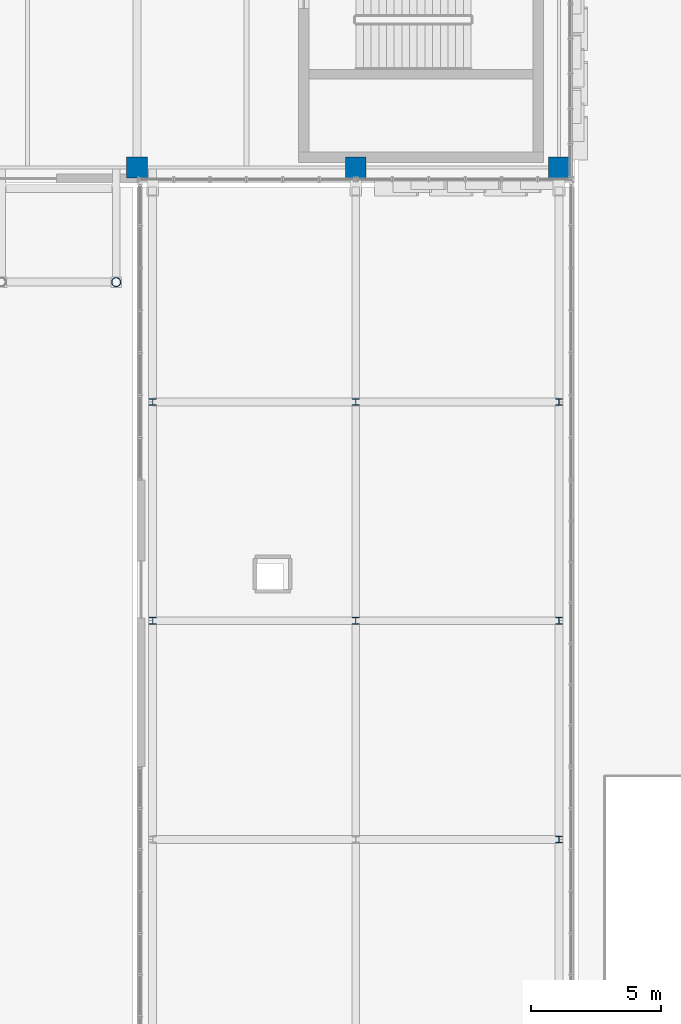
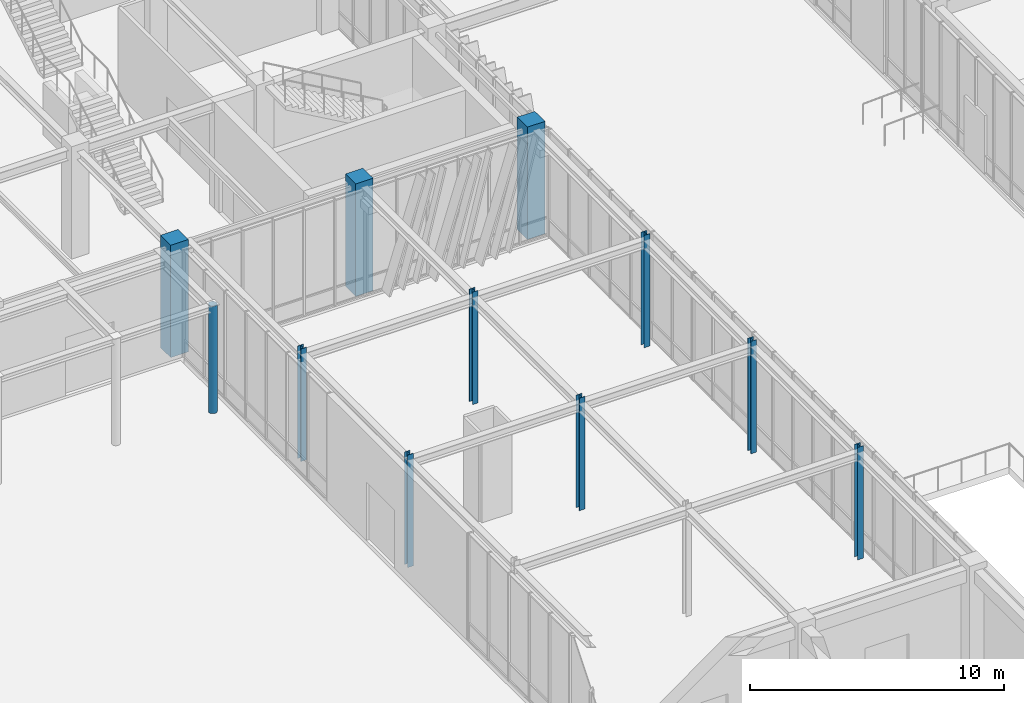
# One storey, part 4 of 122: 11 columns.
"""IFC4 building model written with IfcOpenShell, lengths in metres."""

import ifcopenshell
import ifcopenshell.guid

model = None  # the IFC model being written
_history = None  # IfcOwnerHistory: only IFC2X3 demands one
_inside = {}  # id of a spatial element -> (the spatial element, [elements in it])
_under = {}  # id of a project, library or spatial element -> (it, [spatial elements below it])
_declared = {}  # id of a project -> (the project, [libraries it declares])
_typed = {}  # id of a type object -> (the type object, [elements of that type])
_made_of = {}  # id of a material, layer set ... -> (it, [elements and type objects made of it])


def new_model(schema):
    """Start an empty IFC model of exactly this schema.

    Asked for "IFC4X3", IfcOpenShell would pick the latest addendum, in which some entities
    have other attributes; the version numbers below select the first issue.
    IFC2X3 requires an IfcOwnerHistory on every rooted entity: one is made here for all.
    """
    global model, _history
    if schema == "IFC4X3":
        model = ifcopenshell.file(schema_version=(4, 3, 0, 0))
    else:
        model = ifcopenshell.file(schema=schema)
    _inside.clear()
    _under.clear()
    _declared.clear()
    _typed.clear()
    _made_of.clear()
    _history = None
    if model.schema == "IFC2X3":
        org = make("IfcOrganization", Name="unknown")
        user = make(
            "IfcPersonAndOrganization",
            ThePerson=make("IfcPerson", FamilyName="unknown"),
            TheOrganization=org,
        )
        app = make(
            "IfcApplication",
            ApplicationDeveloper=org,
            Version="unknown",
            ApplicationFullName="unknown",
            ApplicationIdentifier="unknown",
        )
        _history = make(
            "IfcOwnerHistory",
            OwningUser=user,
            OwningApplication=app,
            ChangeAction="ADDED",
            CreationDate=0,
        )
    return model


def make(cls, **values):
    """One entity of the class cls with the attributes given. An attribute that is None is left unset."""
    return model.create_entity(
        cls, **{name: value for name, value in values.items() if value is not None}
    )


def rooted(cls, **values):
    """An entity with a GlobalId (a new one), such as an element, a storey or a relation."""
    return make(cls, GlobalId=ifcopenshell.guid.new(), OwnerHistory=_history, **values)


def si_unit(unit_type, name, prefix=None):
    """IfcSIUnit, for example si_unit("LENGTHUNIT", "METRE", prefix="MILLI")."""
    return make("IfcSIUnit", UnitType=unit_type, Prefix=prefix, Name=name)


def assignment(units):
    """IfcUnitAssignment: the units of a project."""
    return None if units is None else make("IfcUnitAssignment", Units=units)


def point(xyz):
    """IfcCartesianPoint."""
    return None if xyz is None else make("IfcCartesianPoint", Coordinates=xyz)


def direction(xyz):
    """IfcDirection."""
    return None if xyz is None else make("IfcDirection", DirectionRatios=xyz)


def frame(location, z_axis=None, x_axis=None):
    """IfcAxis2Placement3D, a coordinate frame: its origin and axes. An axis left out is left unset."""
    return make(
        "IfcAxis2Placement3D",
        Location=point(location),
        Axis=direction(z_axis),
        RefDirection=direction(x_axis),
    )


def frame_2d(location, x_axis=None):
    """IfcAxis2Placement2D, a coordinate frame in the plane: its origin and x axis."""
    return make(
        "IfcAxis2Placement2D", Location=point(location), RefDirection=direction(x_axis)
    )


def origin():
    """The frame at (0, 0, 0) with its axes left unset."""
    return frame((0.0, 0.0, 0.0))


def origin_2d():
    """The frame at (0, 0) in the plane with its x axis left unset."""
    return frame_2d((0.0, 0.0))


def place(relative_to, where):
    """IfcLocalPlacement: puts the frame where relative to a parent placement (None: the world)."""
    return make(
        "IfcLocalPlacement", PlacementRelTo=relative_to, RelativePlacement=where
    )


def context(
    kind, dimensions, precision=None, world=None, true_north=None, identifier=None
):
    """IfcGeometricRepresentationContext, for example the 3D "Model" context."""
    return make(
        "IfcGeometricRepresentationContext",
        ContextIdentifier=identifier,
        ContextType=kind,
        CoordinateSpaceDimension=dimensions,
        Precision=precision,
        WorldCoordinateSystem=world,
        TrueNorth=true_north,
    )


def subcontext(parent, identifier, kind, view, scale=None):
    """IfcGeometricRepresentationSubContext, for example "Body" below "Model"."""
    return make(
        "IfcGeometricRepresentationSubContext",
        ContextIdentifier=identifier,
        ContextType=kind,
        ParentContext=parent,
        TargetScale=scale,
        TargetView=view,
    )


def project(units=None, contexts=None):
    """IfcProject with its units and contexts."""
    return rooted(
        "IfcProject",
        Name="project",
        RepresentationContexts=contexts,
        UnitsInContext=assignment(units),
    )


def spatial(cls, under=None, at=None, **own):
    """A site, building, storey or space (cls), placed at a placement, below another one or the project."""
    s = rooted(cls, ObjectPlacement=at, **own)
    if under is not None:
        _under.setdefault(under.id(), (under, []))[1].append(s)
    return s


def profile(cls, at=None, kind="AREA", **sizes):
    """A parametric profile (cls). Its sizes go by their IFC names, for example OverallWidth=200.0."""
    return make(cls, ProfileType=kind, Position=at, **sizes)


def rectangle(**sizes):
    """IfcRectangleProfileDef."""
    return profile("IfcRectangleProfileDef", **sizes)


def hollow_circle(**sizes):
    """IfcCircleHollowProfileDef."""
    return profile("IfcCircleHollowProfileDef", **sizes)


def i_section(**sizes):
    """IfcIShapeProfileDef."""
    return profile("IfcIShapeProfileDef", **sizes)


def extrude(swept, where, along, depth):
    """IfcExtrudedAreaSolid: the profile swept, set in the frame where, extruded along a direction by depth."""
    return make(
        "IfcExtrudedAreaSolid",
        SweptArea=swept,
        Position=where,
        ExtrudedDirection=direction(along),
        Depth=depth,
    )


def shape(context_of_items, identifier, shape_type, items):
    """IfcShapeRepresentation: the items that make up one representation, for example the "Body"."""
    return make(
        "IfcShapeRepresentation",
        ContextOfItems=context_of_items,
        RepresentationIdentifier=identifier,
        RepresentationType=shape_type,
        Items=items,
    )


def material(Name=None, Category=None):
    """IfcMaterial."""
    return make("IfcMaterial", Name=Name, Category=Category)


def material_profile(
    of_material, cross_section, Name=None, Category=None, Priority=None
):
    """IfcMaterialProfile: a cross section and its material."""
    return make(
        "IfcMaterialProfile",
        Name=Name,
        Material=of_material,
        Profile=cross_section,
        Priority=Priority,
        Category=Category,
    )


def profile_set(profiles, Name=None, composite=None):
    """IfcMaterialProfileSet."""
    return make(
        "IfcMaterialProfileSet",
        Name=Name,
        MaterialProfiles=profiles,
        CompositeProfile=composite,
    )


def made_of(thing, what):
    """Note that an element or type object is made of a material, layer set ...; save() writes the relation."""
    if what is not None:
        _made_of.setdefault(what.id(), (what, []))[1].append(thing)
    return thing


def type_object(cls, material=None, **own):
    """A type object (cls), such as IfcWallType, which elements share."""
    return made_of(rooted(cls, **own), material)


def element(
    cls,
    number,
    at=None,
    inside=None,
    cuts=None,
    type_object=None,
    material=None,
    context=None,
    identifier="Body",
    shape_type=None,
    held_by="IfcProductDefinitionShape",
    body=None,
    shapes=None,
    **own,
):
    """One element of the class cls, such as IfcWall. Its Tag is "e" and its number.

    at: its placement. inside: the storey or other place that contains it. cuts: it is an
    opening in that element (IfcRelVoidsElement). A single representation is given by context,
    identifier, shape_type and body (its items); several are given by shapes. held_by: the class
    of the entity that holds the representations. save() writes the other relations.
    """
    e = rooted(cls, Tag="e%d" % number, ObjectPlacement=at, **own)
    if body is not None:
        shapes = [shape(context, identifier, shape_type, body)]
    if shapes is not None:
        e.Representation = make(held_by, Representations=shapes)
    if inside is not None:
        _inside.setdefault(inside.id(), (inside, []))[1].append(e)
    if cuts is not None:
        rooted(
            "IfcRelVoidsElement", RelatingBuildingElement=cuts, RelatedOpeningElement=e
        )
    if type_object is not None:
        _typed.setdefault(type_object.id(), (type_object, []))[1].append(e)
    return made_of(e, material)


def aggregate(whole, parts):
    """IfcRelAggregates: a whole, such as a stair, and the parts it consists of."""
    return rooted("IfcRelAggregates", RelatingObject=whole, RelatedObjects=parts)


def save(model, path):
    """Write the relations noted so far, then the file.

    IfcRelAggregates (storeys below a building ...), IfcRelContainedInSpatialStructure (elements
    in a storey), IfcRelDefinesByType, IfcRelAssociatesMaterial and IfcRelDeclares: one each for
    every whole, place, type object, material and project.
    """
    for whole, parts in _under.values():
        aggregate(whole, parts)
    for where, things in _inside.values():
        rooted(
            "IfcRelContainedInSpatialStructure",
            RelatedElements=things,
            RelatingStructure=where,
        )
    for kind, things in _typed.values():
        rooted("IfcRelDefinesByType", RelatedObjects=things, RelatingType=kind)
    for what, things in _made_of.values():
        rooted("IfcRelAssociatesMaterial", RelatedObjects=things, RelatingMaterial=what)
    for by, libraries in _declared.values():
        rooted("IfcRelDeclares", RelatingContext=by, RelatedDefinitions=libraries)
    model.write(path)


model = new_model("IFC4")

# Units and contexts
model_context = context("Model", 3, precision=1e-05, world=origin(), true_north=direction((0.0, 1.0)))
body_context = subcontext(model_context, "Body", "Model", "MODEL_VIEW")
ifc_project = project(units=[si_unit("LENGTHUNIT", "METRE"), si_unit("AREAUNIT", "SQUARE_METRE"), si_unit("VOLUMEUNIT", "CUBIC_METRE"), si_unit("PLANEANGLEUNIT", "RADIAN"), si_unit("MASSUNIT", "GRAM", prefix="KILO")], contexts=[model_context])

# Site, building, storey
site_placement = place(None, origin())
site = spatial("IfcSite", under=ifc_project, at=site_placement, CompositionType="ELEMENT")
building_placement = place(site_placement, origin())
building = spatial("IfcBuilding", under=site, at=building_placement, Name="Zayran Congress Hotel", CompositionType="ELEMENT")
storey_placement = place(building_placement, origin())
storey = spatial("IfcBuildingStorey", under=building, at=storey_placement, Name="L00", CompositionType="ELEMENT", Elevation=0.0)

# Columns
ifc_material_1 = material(Name="Concrete C40/50", Category="concrete")
ifc_material_profile_1 = material_profile(ifc_material_1, rectangle(XDim=0.800048828125, YDim=0.800048828125, at=origin_2d()), Name="RC 800x800")
ifc_profile_set_1 = profile_set([ifc_material_profile_1], Name="Concrete C40/50")
column_type_1 = type_object("IfcColumnType", Name="TP-CL-02", PredefinedType="COLUMN", material=ifc_profile_set_1)
for number, where, z_axis, x_axis, name in (
    (1, (75.60009765625, 68.199951171875, 0.0), (0.0, 0.0, 1.0), (1.0, 0.0, 0.0), "COL-V1-L00-0299"),
    (2, (84.0, 68.199951171875, 0.0), (0.0, 0.0, 1.0), (1.0, 0.0, 0.0), "COL-V1-L00-0306"),
    (3, (91.800048828125, 68.199951171875, 0.0), (0.0, 0.0, 1.0), (1.0, 0.0, 0.0), "COL-V1-L00-0313"),
):
    element("IfcColumn", number, at=place(storey_placement, frame(where, z_axis=z_axis, x_axis=x_axis)), inside=storey, type_object=column_type_1, Name=name, PredefinedType="COLUMN", context=body_context, shape_type="SweptSolid", body=[
        extrude(rectangle(XDim=0.800048828125, YDim=0.800048828125, at=origin_2d()), origin(), (0.0, 0.0, 1.0), 5.39990234375),
    ])
ifc_material_2 = material(Name="Steel S355", Category="steel")
ifc_material_profile_2 = material_profile(ifc_material_2, i_section(OverallWidth=0.260009765625, OverallDepth=0.260009765625, WebThickness=0.010009765625, FlangeThickness=0.017578125, at=origin_2d()), Name="HEB 260")
ifc_profile_set_2 = profile_set([ifc_material_profile_2], Name="Steel S355")
column_type_2 = type_object("IfcColumnType", Name="TP-CL-09", PredefinedType="COLUMN", material=ifc_profile_set_2)
for number, where, z_axis, x_axis, name in (
    (4, (76.199951171875, 50.800048828125, 0.0), (0.0, 0.0, 1.0), (1.0, 0.0, 0.0), "COL-BR2-L00-1381"),
    (5, (76.199951171875, 59.199951171875, 0.0), (0.0, 0.0, 1.0), (1.0, 0.0, 0.0), "COL-BR2-L00-1382"),
    (6, (84.0, 50.800048828125, 0.0), (0.0, 0.0, 1.0), (1.0, 0.0, 0.0), "COL-BR2-L00-1384"),
    (7, (84.0, 59.199951171875, 0.0), (0.0, 0.0, 1.0), (1.0, 0.0, 0.0), "COL-BR2-L00-1385"),
    (8, (91.800048828125, 42.39990234375, 0.0), (0.0, 0.0, 1.0), (1.0, 0.0, 0.0), "COL-BR2-L00-1386"),
    (9, (91.800048828125, 50.800048828125, 0.0), (0.0, 0.0, 1.0), (1.0, 0.0, 0.0), "COL-BR2-L00-1387"),
    (10, (91.800048828125, 59.199951171875, 0.0), (0.0, 0.0, 1.0), (1.0, 0.0, 0.0), "COL-BR2-L00-1388"),
):
    element("IfcColumn", number, at=place(storey_placement, frame(where, z_axis=z_axis, x_axis=x_axis)), inside=storey, type_object=column_type_2, Name=name, PredefinedType="COLUMN", context=body_context, shape_type="SweptSolid", body=[
        extrude(i_section(OverallWidth=0.260009765625, OverallDepth=0.260009765625, WebThickness=0.010009765625, FlangeThickness=0.017578125, at=origin_2d()), origin(), (0.0, 0.0, 1.0), 5.39990234375),
    ])
ifc_material_profile_3 = material_profile(ifc_material_2, hollow_circle(Radius=0.177734375, WallThickness=0.01611328125, at=origin_2d()), Name="CHS 355.6x16")
ifc_profile_set_3 = profile_set([ifc_material_profile_3], Name="Steel S355")
column_type_3 = type_object("IfcColumnType", Name="TP-CL-10", PredefinedType="COLUMN", material=ifc_profile_set_3)
column_placement = place(storey_placement, frame((74.800048828125, 63.800048828125, 0.0), z_axis=(0.0, 0.0, 1.0), x_axis=(1.0, 0.0, 0.0)))
element("IfcColumn", 11, at=column_placement, inside=storey, type_object=column_type_3, Name="COL-CAN-4", PredefinedType="COLUMN", context=body_context, shape_type="SweptSolid", body=[
    extrude(hollow_circle(Radius=0.177734375, WallThickness=0.01611328125, at=origin_2d()), origin(), (0.0, 0.0, 1.0), 5.159912109375),
])

save(model, "model.ifc")
